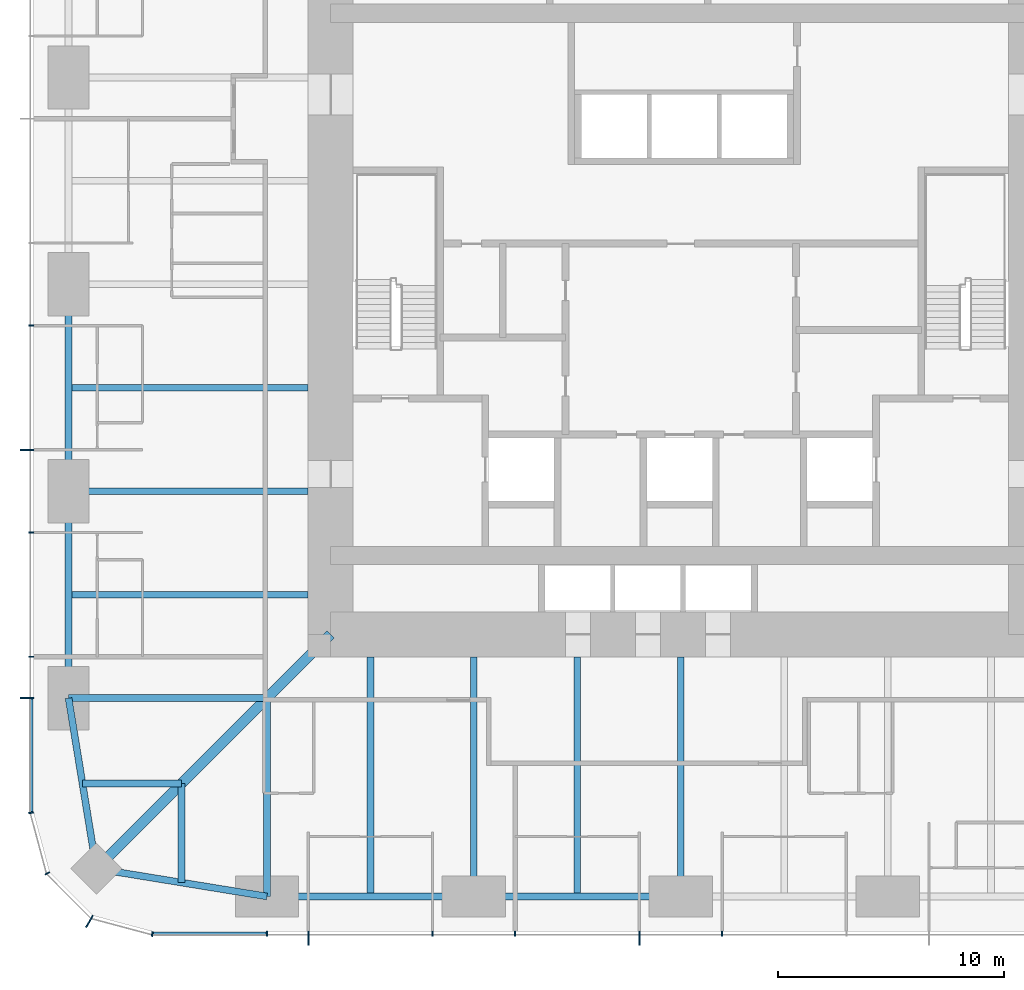
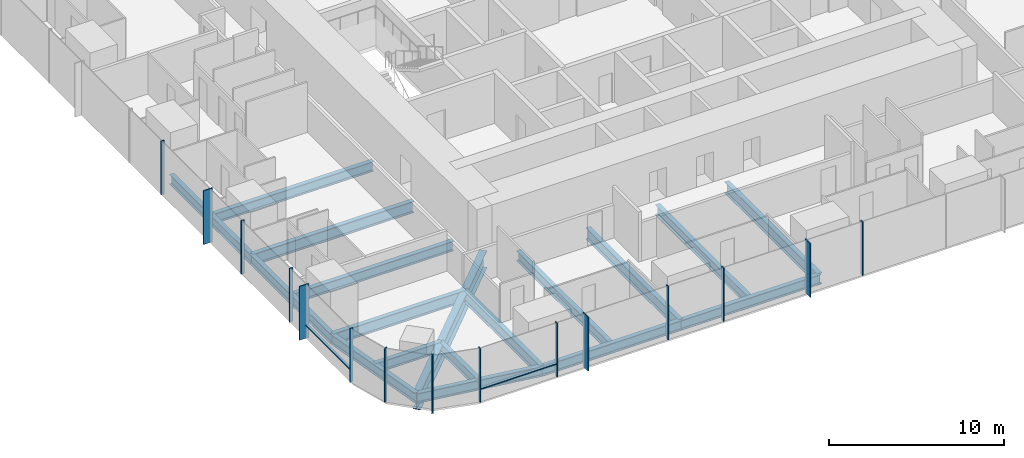
# One storey, part 2 of 13: 18 beams, 17 members, 3 elements without a shape of their own.
"""IFC4 building model written with IfcOpenShell, lengths in metres."""

from ifc_helpers import new_model, si_unit, direction, frame, origin, origin_2d, place, context, subcontext, project, spatial, rectangle, i_section, extrude, material, material_profile, profile_set, type_object, element, aggregate, save


model = new_model("IFC4")

# Units and contexts
model_context = context("Model", 3, precision=1e-05, world=origin(), true_north=direction((0.0, 1.0)))
body_context = subcontext(model_context, "Body", "Model", "MODEL_VIEW")
ifc_project = project(units=[si_unit("LENGTHUNIT", "METRE"), si_unit("AREAUNIT", "SQUARE_METRE"), si_unit("VOLUMEUNIT", "CUBIC_METRE"), si_unit("PLANEANGLEUNIT", "RADIAN"), si_unit("MASSUNIT", "GRAM", prefix="KILO")], contexts=[model_context])

# Site, building, storey
site_placement = place(None, origin())
site = spatial("IfcSite", under=ifc_project, at=site_placement, CompositionType="ELEMENT")
building_placement = place(site_placement, origin())
building = spatial("IfcBuilding", under=site, at=building_placement, Name="Khuree Lantern Residences", CompositionType="ELEMENT")
storey_placement = place(building_placement, frame((0.0, 0.0, 148.5)))
storey = spatial("IfcBuildingStorey", under=building, at=storey_placement, Name="L37", CompositionType="ELEMENT", Elevation=148.5)

# Beams
ifc_material_1 = material(Name="Steel S355", Category="steel")
ifc_material_profile_1 = material_profile(ifc_material_1, i_section(OverallWidth=0.300048828125, OverallDepth=0.68994140625, WebThickness=0.014404296875, FlangeThickness=0.027099609375, FilletRadius=0.027099609375, at=origin_2d()), Name="HE 700 A")
ifc_profile_set_1 = profile_set([ifc_material_profile_1], Name="Steel S355")
beam_type_1 = type_object("IfcBeamType", Name="B-23 SECONDARY BEAM HE 700 A", PredefinedType="BEAM", material=ifc_profile_set_1)
for number, where, z_axis, x_axis, name in (
    (1, (-4.580078125, -27.10009765625, -0.594970703125), (0.0, 1.0, 0.0), (-1.0, 0.0, 0.0), "Secondary beam S4"),
    (2, (-13.739990234375, -27.10009765625, -0.594970703125), (0.0, 1.0, 0.0), (-1.0, 0.0, 0.0), "Secondary beam S5"),
):
    element("IfcBeam", number, at=place(storey_placement, frame(where, z_axis=z_axis, x_axis=x_axis)), inside=storey, type_object=beam_type_1, Name=name, PredefinedType="BEAM", context=body_context, shape_type="SweptSolid", body=[
        extrude(i_section(OverallWidth=0.300048828125, OverallDepth=0.68994140625, WebThickness=0.014404296875, FlangeThickness=0.027099609375, FilletRadius=0.027099609375, at=origin_2d()), origin(), (0.0, 0.0, 1.0), 10.60009765625),
    ])
for number, where, z_axis, x_axis, name in (
    (3, (-22.094970703125, -26.48486328125, -0.594970703125), (0.0, 1.0, 0.0), (-1.0, 0.0, 0.0), "Secondary beam S6"),
    (4, (-26.48486328125, -22.094970703125, -0.594970703125), (1.0, 0.0, 0.0), (0.0, 1.0, 0.0), "Secondary beam W1"),
):
    element("IfcBeam", number, at=place(storey_placement, frame(where, z_axis=z_axis, x_axis=x_axis)), inside=storey, type_object=beam_type_1, Name=name, PredefinedType="BEAM", context=body_context, shape_type="SweptSolid", body=[
        extrude(i_section(OverallWidth=0.300048828125, OverallDepth=0.68994140625, WebThickness=0.014404296875, FlangeThickness=0.027099609375, FilletRadius=0.027099609375, at=origin_2d()), origin(), (0.0, 0.0, 1.0), 4.389892578125),
    ])
for number, where, z_axis, x_axis, name in (
    (5, (-27.10009765625, -13.739990234375, -0.594970703125), (1.0, 0.0, 0.0), (0.0, 1.0, 0.0), "Secondary beam W2"),
    (6, (-27.10009765625, -4.580078125, -0.594970703125), (1.0, 0.0, 0.0), (0.0, 1.0, 0.0), "Secondary beam W3"),
):
    element("IfcBeam", number, at=place(storey_placement, frame(where, z_axis=z_axis, x_axis=x_axis)), inside=storey, type_object=beam_type_1, Name=name, PredefinedType="BEAM", context=body_context, shape_type="SweptSolid", body=[
        extrude(i_section(OverallWidth=0.300048828125, OverallDepth=0.68994140625, WebThickness=0.014404296875, FlangeThickness=0.027099609375, FilletRadius=0.027099609375, at=origin_2d()), origin(), (0.0, 0.0, 1.0), 10.60009765625),
    ])
ifc_material_profile_2 = material_profile(ifc_material_1, i_section(OverallWidth=0.300048828125, OverallDepth=0.68994140625, WebThickness=0.014404296875, FlangeThickness=0.027099609375, FilletRadius=0.027099609375, at=origin_2d()), Name="HE 700 A")
ifc_profile_set_2 = profile_set([ifc_material_profile_2], Name="Steel S355")
beam_type_2 = type_object("IfcBeamType", Name="E-23 SPANDREL BEAM HE 700 A", PredefinedType="SPANDREL", material=ifc_profile_set_2)
beam_1_placement = place(storey_placement, frame((0.0, -27.10009765625, -0.594970703125), z_axis=(-1.0, 0.0, 0.0), x_axis=(0.0, -1.0, 0.0)))
element("IfcBeam", 7, at=beam_1_placement, inside=storey, type_object=beam_type_2, Name="Spandrel beam S4", PredefinedType="SPANDREL", context=body_context, shape_type="SweptSolid", body=[
    extrude(i_section(OverallWidth=0.300048828125, OverallDepth=0.68994140625, WebThickness=0.014404296875, FlangeThickness=0.027099609375, FilletRadius=0.027099609375, at=origin_2d()), origin(), (0.0, 0.0, 1.0), 9.159912109375),
])
beam_2_placement = place(storey_placement, frame((-9.159912109375, -27.10009765625, -0.594970703125), z_axis=(-1.0, 0.0, 0.0), x_axis=(0.0, -1.0, 0.0)))
element("IfcBeam", 8, at=beam_2_placement, inside=storey, type_object=beam_type_2, Name="Spandrel beam S5", PredefinedType="SPANDREL", context=body_context, shape_type="SweptSolid", body=[
    extrude(i_section(OverallWidth=0.300048828125, OverallDepth=0.68994140625, WebThickness=0.014404296875, FlangeThickness=0.027099609375, FilletRadius=0.027099609375, at=origin_2d()), origin(), (0.0, 0.0, 1.0), 9.16015625),
])
for number, where, z_axis, x_axis, name in (
    (9, (-18.320068359375, -27.10009765625, -0.594970703125), (-0.986982656839, 0.160826723833, 0.0), (-0.160826723833, -0.986982656839, 0.0), "Spandrel beam S6"),
    (10, (-25.869873046875, -25.869873046875, -0.594970703125), (-0.160826723833, 0.986982656839, 0.0), (-0.986982656839, -0.160826723833, 0.0), "Spandrel beam W1"),
):
    element("IfcBeam", number, at=place(storey_placement, frame(where, z_axis=z_axis, x_axis=x_axis)), inside=storey, type_object=beam_type_2, Name=name, PredefinedType="SPANDREL", context=body_context, shape_type="SweptSolid", body=[
        extrude(i_section(OverallWidth=0.300048828125, OverallDepth=0.68994140625, WebThickness=0.014404296875, FlangeThickness=0.027099609375, FilletRadius=0.027099609375, at=origin_2d()), origin(), (0.0, 0.0, 1.0), 7.6494140625),
    ])
beam_3_placement = place(storey_placement, frame((-27.10009765625, -18.320068359375, -0.594970703125), z_axis=(0.0, 1.0, 0.0), x_axis=(-1.0, 0.0, 0.0)))
element("IfcBeam", 11, at=beam_3_placement, inside=storey, type_object=beam_type_2, Name="Spandrel beam W2", PredefinedType="SPANDREL", context=body_context, shape_type="SweptSolid", body=[
    extrude(i_section(OverallWidth=0.300048828125, OverallDepth=0.68994140625, WebThickness=0.014404296875, FlangeThickness=0.027099609375, FilletRadius=0.027099609375, at=origin_2d()), origin(), (0.0, 0.0, 1.0), 9.16015625),
])
beam_4_placement = place(storey_placement, frame((-27.10009765625, -9.159912109375, -0.594970703125), z_axis=(0.0, 1.0, 0.0), x_axis=(-1.0, 0.0, 0.0)))
element("IfcBeam", 12, at=beam_4_placement, inside=storey, type_object=beam_type_2, Name="Spandrel beam W3", PredefinedType="SPANDREL", context=body_context, shape_type="SweptSolid", body=[
    extrude(i_section(OverallWidth=0.300048828125, OverallDepth=0.68994140625, WebThickness=0.014404296875, FlangeThickness=0.027099609375, FilletRadius=0.027099609375, at=origin_2d()), origin(), (0.0, 0.0, 1.0), 9.159912109375),
])

# Curtain wall, members
ifc_material_2 = material(Name="Bronze anodised aluminium", Category="aluminium")
curtain_wall_type_1 = type_object("IfcCurtainWallType", Name="CW-T1 TOWER FACE CURTAIN WALL", PredefinedType="USERDEFINED", material=ifc_material_2)
curtain_wall_1_placement = place(storey_placement, origin())
curtain_wall_1 = element("IfcCurtainWall", 13, at=curtain_wall_1_placement, inside=storey, type_object=curtain_wall_type_1, Name="L37 WEST FACE CURTAIN WALL", ObjectType="Stick-built curtain wall", PredefinedType="USERDEFINED")
ifc_material_profile_3 = material_profile(ifc_material_2, rectangle(XDim=0.06494140625, YDim=0.60009765625, at=origin_2d()), Name="F1 65X600")
ifc_profile_set_3 = profile_set([ifc_material_profile_3], Name="Bronze anodised aluminium")
member_type_1 = type_object("IfcMemberType", Name="F1 BRONZE FIN MULLION TOWER 65X600", PredefinedType="MULLION", material=ifc_profile_set_3)
member_1_placement = place(storey_placement, frame((-28.949951171875, -7.327880859375, 0.0), z_axis=(0.0, 0.0, 1.0), x_axis=(0.0, -1.0, 0.0)))
member_1 = element("IfcMember", 14, at=member_1_placement, type_object=member_type_1, Name="L37 WEST FACE FIN MULLION 39", PredefinedType="MULLION", context=body_context, shape_type="SweptSolid", body=[
    extrude(rectangle(XDim=0.06494140625, YDim=0.60009765625, at=origin_2d()), origin(), (0.0, 0.0, 1.0), 3.75),
])
member_2_placement = place(storey_placement, frame((-28.949951171875, -18.320068359375, 0.0), z_axis=(0.0, 0.0, 1.0), x_axis=(0.0, -1.0, 0.0)))
member_2 = element("IfcMember", 15, at=member_2_placement, type_object=member_type_1, Name="L37 WEST FACE FIN MULLION 42", PredefinedType="MULLION", context=body_context, shape_type="SweptSolid", body=[
    extrude(rectangle(XDim=0.06494140625, YDim=0.60009765625, at=origin_2d()), origin(), (0.0, 0.0, 1.0), 3.75),
])

# Curtain wall, member
curtain_wall_type_2 = type_object("IfcCurtainWallType", Name="CW-T2 TOWER CORNER CURTAIN WALL", PredefinedType="USERDEFINED", material=ifc_material_2)
curtain_wall_2_placement = place(storey_placement, origin())
curtain_wall_2 = element("IfcCurtainWall", 16, at=curtain_wall_2_placement, inside=storey, type_object=curtain_wall_type_2, Name="L37 SOUTH-WEST CORNER CURTAIN WALL", ObjectType="Faceted corner curtain wall", PredefinedType="USERDEFINED")
member_3_placement = place(storey_placement, frame((-26.175048828125, -28.20654296875, 0.0), z_axis=(0.0, 0.0, 1.0), x_axis=(0.866025388199, -0.500000026995, 0.0)))
member_3 = element("IfcMember", 17, at=member_3_placement, type_object=member_type_1, Name="L37 SOUTH-WEST CORNER FIN MULLION 45", PredefinedType="MULLION", context=body_context, shape_type="SweptSolid", body=[
    extrude(rectangle(XDim=0.06494140625, YDim=0.60009765625, at=origin_2d()), origin(), (0.0, 0.0, 1.0), 3.75),
])

# Curtain wall, members
curtain_wall_3_placement = place(storey_placement, origin())
curtain_wall_3 = element("IfcCurtainWall", 18, at=curtain_wall_3_placement, inside=storey, type_object=curtain_wall_type_1, Name="L37 SOUTH FACE CURTAIN WALL", ObjectType="Stick-built curtain wall", PredefinedType="USERDEFINED")
member_4_placement = place(storey_placement, frame((-16.488037109375, -28.949951171875, 0.0), z_axis=(0.0, 0.0, 1.0), x_axis=(1.0, 0.0, 0.0)))
member_4 = element("IfcMember", 19, at=member_4_placement, type_object=member_type_1, Name="L37 SOUTH FACE FIN MULLION 48", PredefinedType="MULLION", context=body_context, shape_type="SweptSolid", body=[
    extrude(rectangle(XDim=0.06494140625, YDim=0.60009765625, at=origin_2d()), origin(), (0.0, 0.0, 1.0), 3.75),
])
member_5_placement = place(storey_placement, frame((-1.83203125, -28.949951171875, 0.0), z_axis=(0.0, 0.0, 1.0), x_axis=(1.0, 0.0, 0.0)))
member_5 = element("IfcMember", 20, at=member_5_placement, type_object=member_type_1, Name="L37 SOUTH FACE FIN MULLION 51", PredefinedType="MULLION", context=body_context, shape_type="SweptSolid", body=[
    extrude(rectangle(XDim=0.06494140625, YDim=0.60009765625, at=origin_2d()), origin(), (0.0, 0.0, 1.0), 3.75),
])

# Beams
ifc_material_profile_4 = material_profile(ifc_material_1, i_section(OverallWidth=0.300048828125, OverallDepth=0.800048828125, WebThickness=0.017578125, FlangeThickness=0.032958984375, FilletRadius=0.030029296875, at=origin_2d()), Name="HE 800 B")
ifc_profile_set_4 = profile_set([ifc_material_profile_4], Name="Steel S355")
beam_type_3 = type_object("IfcBeamType", Name="G-23 GIRDER HE 800 B", PredefinedType="BEAM", material=ifc_profile_set_4)
for number, where, z_axis, x_axis, name in (
    (21, (0.0, -27.10009765625, -0.64990234375), (0.0, 1.0, 0.0), (-1.0, 0.0, 0.0), "Girder S3"),
    (22, (-9.159912109375, -27.10009765625, -0.64990234375), (0.0, 1.0, 0.0), (-1.0, 0.0, 0.0), "Girder S4"),
):
    element("IfcBeam", number, at=place(storey_placement, frame(where, z_axis=z_axis, x_axis=x_axis)), inside=storey, type_object=beam_type_3, Name=name, PredefinedType="BEAM", context=body_context, shape_type="SweptSolid", body=[
        extrude(i_section(OverallWidth=0.300048828125, OverallDepth=0.800048828125, WebThickness=0.017578125, FlangeThickness=0.032958984375, FilletRadius=0.030029296875, at=origin_2d()), origin(), (0.0, 0.0, 1.0), 10.60009765625),
    ])
for number, where, z_axis, x_axis, name in (
    (23, (-18.320068359375, -27.10009765625, -0.64990234375), (0.0, 1.0, 0.0), (-1.0, 0.0, 0.0), "Girder S5"),
    (24, (-27.10009765625, -18.320068359375, -0.64990234375), (1.0, 0.0, 0.0), (0.0, 1.0, 0.0), "Girder W1"),
):
    element("IfcBeam", number, at=place(storey_placement, frame(where, z_axis=z_axis, x_axis=x_axis)), inside=storey, type_object=beam_type_3, Name=name, PredefinedType="BEAM", context=body_context, shape_type="SweptSolid", body=[
        extrude(i_section(OverallWidth=0.300048828125, OverallDepth=0.800048828125, WebThickness=0.017578125, FlangeThickness=0.032958984375, FilletRadius=0.030029296875, at=origin_2d()), origin(), (0.0, 0.0, 1.0), 8.780029296875),
    ])
beam_5_placement = place(storey_placement, frame((-27.10009765625, -9.159912109375, -0.64990234375), z_axis=(1.0, 0.0, 0.0), x_axis=(0.0, 1.0, 0.0)))
element("IfcBeam", 25, at=beam_5_placement, inside=storey, type_object=beam_type_3, Name="Girder W2", PredefinedType="BEAM", context=body_context, shape_type="SweptSolid", body=[
    extrude(i_section(OverallWidth=0.300048828125, OverallDepth=0.800048828125, WebThickness=0.017578125, FlangeThickness=0.032958984375, FilletRadius=0.030029296875, at=origin_2d()), origin(), (0.0, 0.0, 1.0), 10.60009765625),
])
ifc_material_profile_5 = material_profile(ifc_material_1, i_section(OverallWidth=0.449951171875, OverallDepth=1.199951171875, WebThickness=0.02490234375, FlangeThickness=0.044921875, at=origin_2d()), Name="WELDED I 1200X450X25X45")
ifc_profile_set_5 = profile_set([ifc_material_profile_5], Name="Steel S355")
beam_type_4 = type_object("IfcBeamType", Name="GD-23 CORNER GIRDER WELDED I 1200X450X25X45", PredefinedType="BEAM", material=ifc_profile_set_5)
beam_6_placement = place(storey_placement, frame((-25.869873046875, -25.869873046875, -0.85009765625), z_axis=(0.707106781187, 0.707106781187, 0.0), x_axis=(-0.707106781187, 0.707106781187, 0.0)))
element("IfcBeam", 26, at=beam_6_placement, inside=storey, type_object=beam_type_4, Name="Corner girder SW", PredefinedType="BEAM", context=body_context, shape_type="SweptSolid", body=[
    extrude(i_section(OverallWidth=0.449951171875, OverallDepth=1.199951171875, WebThickness=0.02490234375, FlangeThickness=0.044921875, at=origin_2d()), origin(), (0.0, 0.0, 1.0), 14.665283203125),
])

# Member
ifc_material_profile_6 = material_profile(ifc_material_2, rectangle(XDim=0.06494140625, YDim=0.219970703125, at=origin_2d()), Name="M1 65X220")
ifc_profile_set_6 = profile_set([ifc_material_profile_6], Name="Bronze anodised aluminium")
member_type_2 = type_object("IfcMemberType", Name="M1 BRONZE MULLION TOWER 65X220", PredefinedType="MULLION", material=ifc_profile_set_6)
member_6_placement = place(storey_placement, frame((-28.760009765625, -1.83203125, 0.0), z_axis=(0.0, 0.0, 1.0), x_axis=(0.0, -1.0, 0.0)))
member_6 = element("IfcMember", 27, at=member_6_placement, type_object=member_type_2, Name="L37 WEST FACE MULLION 38", PredefinedType="MULLION", context=body_context, shape_type="SweptSolid", body=[
    extrude(rectangle(XDim=0.06494140625, YDim=0.219970703125, at=origin_2d()), origin(), (0.0, 0.0, 1.0), 3.75),
])

member_7_placement = place(storey_placement, frame((-28.760009765625, -10.991943359375, 0.0), z_axis=(0.0, 0.0, 1.0), x_axis=(0.0, -1.0, 0.0)))
member_7 = element("IfcMember", 28, at=member_7_placement, type_object=member_type_2, Name="L37 WEST FACE MULLION 40", PredefinedType="MULLION", context=body_context, shape_type="SweptSolid", body=[
    extrude(rectangle(XDim=0.06494140625, YDim=0.219970703125, at=origin_2d()), origin(), (0.0, 0.0, 1.0), 3.75),
])

member_8_placement = place(storey_placement, frame((-28.760009765625, -16.488037109375, 0.0), z_axis=(0.0, 0.0, 1.0), x_axis=(0.0, -1.0, 0.0)))
member_8 = element("IfcMember", 29, at=member_8_placement, type_object=member_type_2, Name="L37 WEST FACE MULLION 41", PredefinedType="MULLION", context=body_context, shape_type="SweptSolid", body=[
    extrude(rectangle(XDim=0.06494140625, YDim=0.219970703125, at=origin_2d()), origin(), (0.0, 0.0, 1.0), 3.75),
])

member_9_placement = place(storey_placement, frame((-28.76171875, -23.39501953125, 0.0), z_axis=(0.0, 0.0, 1.0), x_axis=(0.130526223125, -0.991444857305, 0.0)))
member_9 = element("IfcMember", 30, at=member_9_placement, type_object=member_type_2, Name="L37 SOUTH-WEST CORNER MULLION 43", PredefinedType="MULLION", context=body_context, shape_type="SweptSolid", body=[
    extrude(rectangle(XDim=0.06494140625, YDim=0.219970703125, at=origin_2d()), origin(), (0.0, 0.0, 1.0), 3.75),
])

member_10_placement = place(storey_placement, frame((-28.0419921875, -26.080078125, 0.0), z_axis=(0.0, 0.0, 1.0), x_axis=(0.500000026995, -0.866025388199, 0.0)))
member_10 = element("IfcMember", 31, at=member_10_placement, type_object=member_type_2, Name="L37 SOUTH-WEST CORNER MULLION 44", PredefinedType="MULLION", context=body_context, shape_type="SweptSolid", body=[
    extrude(rectangle(XDim=0.06494140625, YDim=0.219970703125, at=origin_2d()), origin(), (0.0, 0.0, 1.0), 3.75),
])

aggregate(curtain_wall_2, [member_9, member_10, member_3])

member_11_placement = place(storey_placement, frame((-23.39501953125, -28.76171875, 0.0), z_axis=(0.0, 0.0, 1.0), x_axis=(0.991444857305, -0.130526223125, 0.0)))
member_11 = element("IfcMember", 32, at=member_11_placement, type_object=member_type_2, Name="L37 SOUTH FACE MULLION 46", PredefinedType="MULLION", context=body_context, shape_type="SweptSolid", body=[
    extrude(rectangle(XDim=0.06494140625, YDim=0.219970703125, at=origin_2d()), origin(), (0.0, 0.0, 1.0), 3.75),
])

member_12_placement = place(storey_placement, frame((-18.320068359375, -28.760009765625, 0.0), z_axis=(0.0, 0.0, 1.0), x_axis=(1.0, 0.0, 0.0)))
member_12 = element("IfcMember", 33, at=member_12_placement, type_object=member_type_2, Name="L37 SOUTH FACE MULLION 47", PredefinedType="MULLION", context=body_context, shape_type="SweptSolid", body=[
    extrude(rectangle(XDim=0.06494140625, YDim=0.219970703125, at=origin_2d()), origin(), (0.0, 0.0, 1.0), 3.75),
])

member_13_placement = place(storey_placement, frame((-10.991943359375, -28.760009765625, 0.0), z_axis=(0.0, 0.0, 1.0), x_axis=(1.0, 0.0, 0.0)))
member_13 = element("IfcMember", 34, at=member_13_placement, type_object=member_type_2, Name="L37 SOUTH FACE MULLION 49", PredefinedType="MULLION", context=body_context, shape_type="SweptSolid", body=[
    extrude(rectangle(XDim=0.06494140625, YDim=0.219970703125, at=origin_2d()), origin(), (0.0, 0.0, 1.0), 3.75),
])

member_14_placement = place(storey_placement, frame((-7.327880859375, -28.760009765625, 0.0), z_axis=(0.0, 0.0, 1.0), x_axis=(1.0, 0.0, 0.0)))
member_14 = element("IfcMember", 35, at=member_14_placement, type_object=member_type_2, Name="L37 SOUTH FACE MULLION 50", PredefinedType="MULLION", context=body_context, shape_type="SweptSolid", body=[
    extrude(rectangle(XDim=0.06494140625, YDim=0.219970703125, at=origin_2d()), origin(), (0.0, 0.0, 1.0), 3.75),
])

member_15_placement = place(storey_placement, frame((1.83203125, -28.760009765625, 0.0), z_axis=(0.0, 0.0, 1.0), x_axis=(1.0, 0.0, 0.0)))
member_15 = element("IfcMember", 36, at=member_15_placement, type_object=member_type_2, Name="L37 SOUTH FACE MULLION 52", PredefinedType="MULLION", context=body_context, shape_type="SweptSolid", body=[
    extrude(rectangle(XDim=0.06494140625, YDim=0.219970703125, at=origin_2d()), origin(), (0.0, 0.0, 1.0), 3.75),
])

ifc_material_profile_7 = material_profile(ifc_material_2, rectangle(XDim=0.179931640625, YDim=0.06494140625, at=origin_2d()), Name="T1 180X65")
ifc_profile_set_7 = profile_set([ifc_material_profile_7], Name="Bronze anodised aluminium")
member_type_3 = type_object("IfcMemberType", Name="TRANSOM T1 TOWER 180X65", PredefinedType="USERDEFINED", material=ifc_profile_set_7)
member_16_placement = place(storey_placement, frame((-28.77001953125, -18.3525390625, 0.89990234375), z_axis=(0.0, -1.0, 0.0), x_axis=(1.0, 0.0, 0.0)))
member_16 = element("IfcMember", 37, at=member_16_placement, type_object=member_type_3, Name="L37 WEST FACE TRANSOM 42.1", ObjectType="Transom", PredefinedType="USERDEFINED", context=body_context, shape_type="SweptSolid", body=[
    extrude(rectangle(XDim=0.179931640625, YDim=0.06494140625, at=origin_2d()), origin(), (0.0, 0.0, 1.0), 4.998779296875),
])

aggregate(curtain_wall_1, [member_6, member_1, member_7, member_8, member_2, member_16])

member_17_placement = place(storey_placement, frame((-23.351318359375, -28.77001953125, 0.89990234375), z_axis=(1.0, 0.0, 0.0), x_axis=(0.0, 1.0, 0.0)))
member_17 = element("IfcMember", 38, at=member_17_placement, type_object=member_type_3, Name="L37 SOUTH FACE TRANSOM 46.1", ObjectType="Transom", PredefinedType="USERDEFINED", context=body_context, shape_type="SweptSolid", body=[
    extrude(rectangle(XDim=0.179931640625, YDim=0.06494140625, at=origin_2d()), origin(), (0.0, 0.0, 1.0), 4.998779296875),
])

aggregate(curtain_wall_3, [member_11, member_12, member_4, member_13, member_14, member_5, member_15, member_17])

save(model, "model.ifc")
